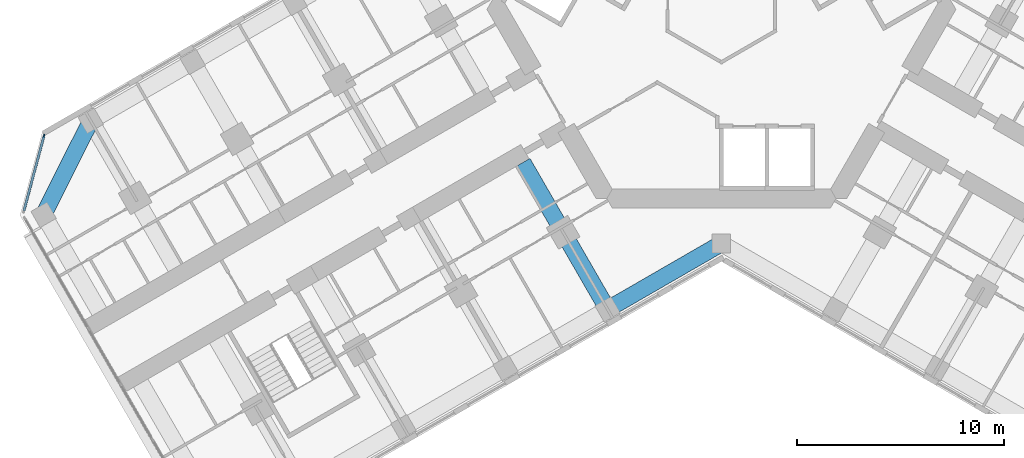
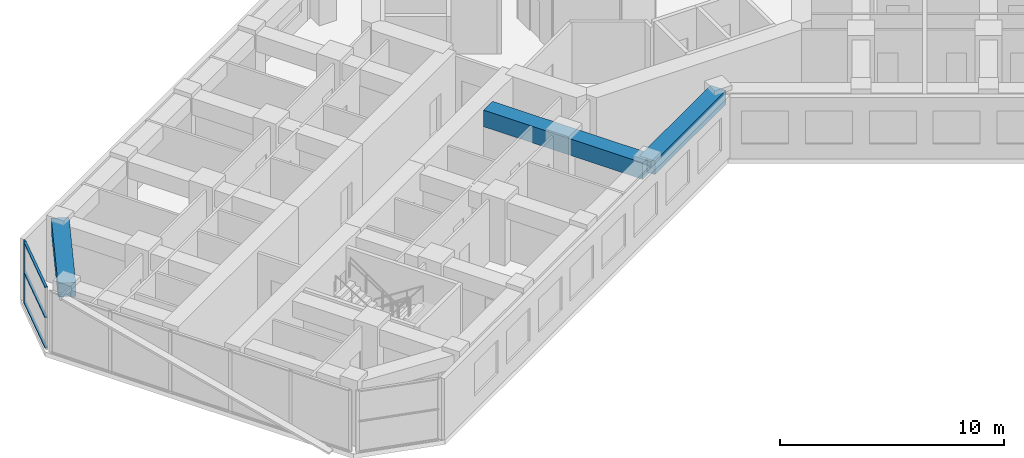
# One storey, part 3 of 19: 4 members, 3 beams, 1 element without a shape of its own.
"""IFC4 building model written with IfcOpenShell, lengths in metres."""

from ifc_helpers import new_model, si_unit, direction, frame, origin, origin_2d, place, context, subcontext, project, spatial, rectangle, extrude, material, material_profile, profile_set, type_object, element, aggregate, save


model = new_model("IFC4")

# Units and contexts
model_context = context("Model", 3, precision=1e-05, world=origin(), true_north=direction((0.0, 1.0)))
body_context = subcontext(model_context, "Body", "Model", "MODEL_VIEW")
ifc_project = project(units=[si_unit("LENGTHUNIT", "METRE"), si_unit("AREAUNIT", "SQUARE_METRE"), si_unit("VOLUMEUNIT", "CUBIC_METRE"), si_unit("PLANEANGLEUNIT", "RADIAN"), si_unit("MASSUNIT", "GRAM", prefix="KILO")], contexts=[model_context])

# Site, building, storey
site_placement = place(None, origin())
site = spatial("IfcSite", under=ifc_project, at=site_placement, CompositionType="ELEMENT")
building_placement = place(site_placement, origin())
building = spatial("IfcBuilding", under=site, at=building_placement, Name="Kosmar Iwan School Tower", CompositionType="ELEMENT")
storey_placement = place(building_placement, frame((0.0, 0.0, 158.0)))
storey = spatial("IfcBuildingStorey", under=building, at=storey_placement, Name="L39", CompositionType="ELEMENT", Elevation=158.0)

# Curtain wall, member
ifc_material_1 = material(Name="Dark glass in black aluminium frame", Category="aluminium")
curtain_wall_type = type_object("IfcCurtainWallType", Name="Chamfer curtain wall dark glass", PredefinedType="USERDEFINED", material=ifc_material_1)
curtain_wall_placement = place(storey_placement, origin())
curtain_wall = element("IfcCurtainWall", 1, at=curtain_wall_placement, inside=storey, type_object=curtain_wall_type, Name="Curtain wall L39-F12", ObjectType="FACETED CURTAIN WALL", PredefinedType="USERDEFINED")
ifc_material_2 = material(Name="Black anodised aluminium", Category="aluminium")
ifc_material_profile_1 = material_profile(ifc_material_2, rectangle(XDim=0.06005859375, YDim=0.159912109375, at=origin_2d()), Name="MULLION 60x160")
ifc_profile_set_1 = profile_set([ifc_material_profile_1], Name="Black anodised aluminium")
member_type_1 = type_object("IfcMemberType", Name="Mullion 60x160", PredefinedType="MULLION", material=ifc_profile_set_1)
member_1_placement = place(storey_placement, frame((-32.78076171875, -6.5732421875, 0.0), z_axis=(0.0, 0.0, 1.0), x_axis=(0.965925875495, -0.258818861462, 0.0)))
member_1 = element("IfcMember", 2, at=member_1_placement, type_object=member_type_1, Name="CW2 mullion 1", PredefinedType="MULLION", context=body_context, shape_type="SweptSolid", body=[
    extrude(rectangle(XDim=0.06005859375, YDim=0.159912109375, at=origin_2d()), origin(), (0.0, 0.0, 1.0), 3.35009765625),
])

# Beams
ifc_material_3 = material(Name="Concrete C50/60", Category="concrete")
ifc_material_profile_2 = material_profile(ifc_material_3, rectangle(XDim=0.800048828125, YDim=0.75, at=origin_2d()), Name="RC 800x750")
ifc_profile_set_2 = profile_set([ifc_material_profile_2], Name="Concrete C50/60")
beam_type_1 = type_object("IfcBeamType", Name="RC edge beam 800x750", PredefinedType="BEAM", material=ifc_profile_set_2)
beam_1_placement = place(storey_placement, frame((0.0, -11.77783203125, 2.97509765625), z_axis=(-0.866014293216, -0.500019243575, 0.0), x_axis=(0.500019243575, -0.866014293216, 0.0)))
element("IfcBeam", 3, at=beam_1_placement, inside=storey, type_object=beam_type_1, Name="Edge beam BL1", PredefinedType="BEAM", context=body_context, shape_type="SweptSolid", body=[
    extrude(rectangle(XDim=0.800048828125, YDim=0.75, at=origin_2d()), origin(), (0.0, 0.0, 1.0), 6.361083984375),
])
ifc_material_4 = material(Name="Concrete C50/60", Category="concrete")
ifc_material_profile_3 = material_profile(ifc_material_4, rectangle(XDim=0.800048828125, YDim=0.75, at=origin_2d()), Name="RC 800x750")
ifc_profile_set_3 = profile_set([ifc_material_profile_3], Name="Concrete C50/60")
beam_type_2 = type_object("IfcBeamType", Name="RC tip beam 800x750", PredefinedType="BEAM", material=ifc_profile_set_3)
beam_2_placement = place(storey_placement, frame((-30.517822265625, -5.841552734375, 2.97509765625), z_axis=(-0.44809604203, -0.893985423325, 0.0), x_axis=(0.893985423325, -0.44809604203, 0.0)))
element("IfcBeam", 4, at=beam_2_placement, inside=storey, type_object=beam_type_2, Name="Tip beam BR", PredefinedType="BEAM", context=body_context, shape_type="SweptSolid", body=[
    extrude(rectangle(XDim=0.800048828125, YDim=0.75, at=origin_2d()), origin(), (0.0, 0.0, 1.0), 5.08935546875),
])
ifc_material_5 = material(Name="Concrete C50/60", Category="concrete")
ifc_material_profile_4 = material_profile(ifc_material_5, rectangle(XDim=0.800048828125, YDim=0.89990234375, at=origin_2d()), Name="RC 800x900")
ifc_profile_set_4 = profile_set([ifc_material_profile_4], Name="Concrete C50/60")
beam_type_3 = type_object("IfcBeamType", Name="RC transverse beam 800x900", PredefinedType="BEAM", material=ifc_profile_set_4)
beam_3_placement = place(storey_placement, frame((-5.5087890625, -14.95849609375, 2.89990234375), z_axis=(-0.500000789788, 0.8660249478, 0.0), x_axis=(-0.8660249478, -0.500000789788, 0.0)))
element("IfcBeam", 5, at=beam_3_placement, inside=storey, type_object=beam_type_3, Name="Transverse beam BL1", PredefinedType="BEAM", context=body_context, shape_type="SweptSolid", body=[
    extrude(rectangle(XDim=0.800048828125, YDim=0.89990234375, at=origin_2d()), origin(), (0.0, 0.0, 1.0), 8.2001953125),
])

# Member
ifc_material_6 = material(Name="Black anodised aluminium", Category="aluminium")
ifc_material_profile_5 = material_profile(ifc_material_6, rectangle(XDim=0.1201171875, YDim=0.06005859375, at=origin_2d()), Name="TRANSOM 60x120")
ifc_profile_set_5 = profile_set([ifc_material_profile_5], Name="Black anodised aluminium")
member_type_2 = type_object("IfcMemberType", Name="Transom 60x120", PredefinedType="USERDEFINED", material=ifc_profile_set_5)
member_2_placement = place(storey_placement, frame((-32.788330078125, -6.602294921875, 0.030029296875), z_axis=(-0.258843273983, -0.965919333854, 0.0), x_axis=(0.965919333854, -0.258843273983, 0.0)))
member_2 = element("IfcMember", 6, at=member_2_placement, type_object=member_type_2, Name="CW2 transom 1.1", ObjectType="TRANSOM", PredefinedType="USERDEFINED", context=body_context, shape_type="SweptSolid", body=[
    extrude(rectangle(XDim=0.1201171875, YDim=0.06005859375, at=origin_2d()), origin(), (0.0, 0.0, 1.0), 3.718994140625),
])

member_3_placement = place(storey_placement, frame((-32.788330078125, -6.602294921875, 1.675048828125), z_axis=(-0.258843273983, -0.965919333854, 0.0), x_axis=(0.965919333854, -0.258843273983, 0.0)))
member_3 = element("IfcMember", 7, at=member_3_placement, type_object=member_type_2, Name="CW2 transom 1.2", ObjectType="TRANSOM", PredefinedType="USERDEFINED", context=body_context, shape_type="SweptSolid", body=[
    extrude(rectangle(XDim=0.1201171875, YDim=0.06005859375, at=origin_2d()), origin(), (0.0, 0.0, 1.0), 3.718994140625),
])

member_4_placement = place(storey_placement, frame((-32.788330078125, -6.602294921875, 3.320068359375), z_axis=(-0.258843273983, -0.965919333854, 0.0), x_axis=(0.965919333854, -0.258843273983, 0.0)))
member_4 = element("IfcMember", 8, at=member_4_placement, type_object=member_type_2, Name="CW2 transom 1.3", ObjectType="TRANSOM", PredefinedType="USERDEFINED", context=body_context, shape_type="SweptSolid", body=[
    extrude(rectangle(XDim=0.1201171875, YDim=0.06005859375, at=origin_2d()), origin(), (0.0, 0.0, 1.0), 3.718994140625),
])

aggregate(curtain_wall, [member_1, member_2, member_3, member_4])

save(model, "model.ifc")
